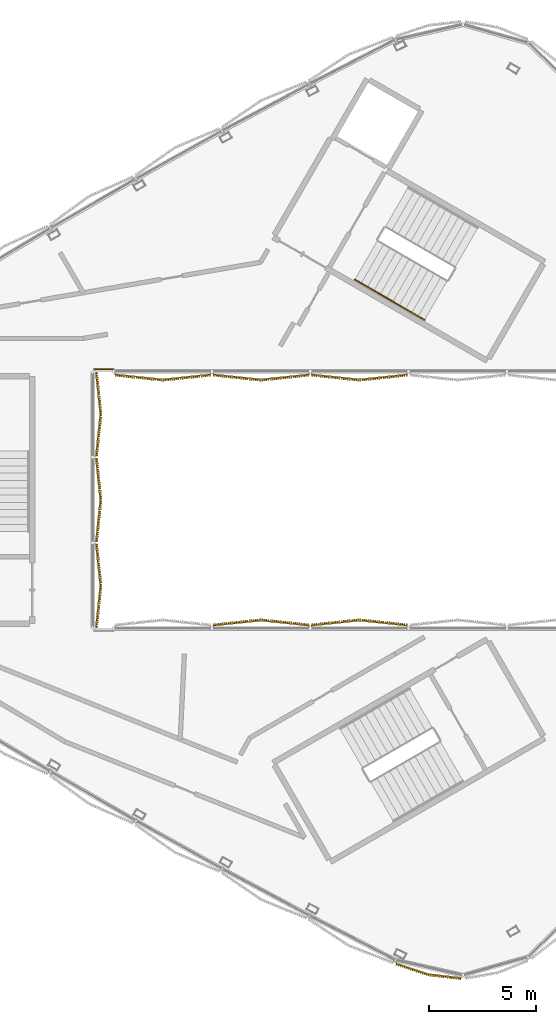
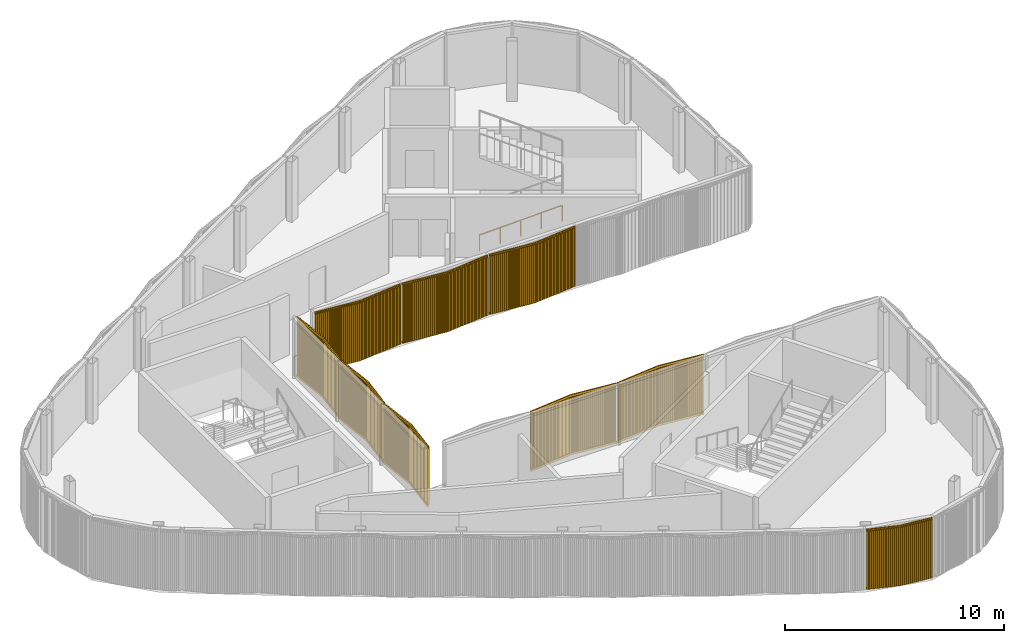
# One storey, part 11 of 16: 9 coverings, 2 railings.
"""IFC4 building model written with IfcOpenShell, lengths in metres."""

from ifc_helpers import new_model, si_unit, direction, frame, frame_2d, origin, origin_2d, place, context, subcontext, project, spatial, rectangle, circle, extrude, source, transform, mapped, material, type_object, element, save


model = new_model("IFC4")

# Units and contexts
model_context = context("Model", 3, precision=1e-05, world=origin(), true_north=direction((0.0, 1.0)))
body_context = subcontext(model_context, "Body", "Model", "MODEL_VIEW")
ifc_project = project(units=[si_unit("LENGTHUNIT", "METRE"), si_unit("AREAUNIT", "SQUARE_METRE"), si_unit("VOLUMEUNIT", "CUBIC_METRE"), si_unit("PLANEANGLEUNIT", "RADIAN"), si_unit("MASSUNIT", "GRAM", prefix="KILO")], contexts=[model_context])

# Site, building, storey
site_placement = place(None, origin())
site = spatial("IfcSite", under=ifc_project, at=site_placement, CompositionType="ELEMENT")
building_placement = place(site_placement, origin())
building = spatial("IfcBuilding", under=site, at=building_placement, Name="Tamra Quay Hotel Tower", CompositionType="ELEMENT")
storey_placement = place(building_placement, frame((0.0, 0.0, 324.199951171875)))
storey = spatial("IfcBuildingStorey", under=building, at=storey_placement, Name="Roof crown 2", CompositionType="ELEMENT", Elevation=324.199951171875)

# Railings
ifc_material_1 = material(Name="Stainless steel balustrade", Category="steel")
railing_type_1 = type_object("IfcRailingType", Name="EXTERIOR GUARD 1100", PredefinedType="GUARDRAIL", material=ifc_material_1)
railing_1_placement = place(storey_placement, frame((-7.949951171875, 6.10009765625, 0.0)))
element("IfcRailing", 1, at=railing_1_placement, inside=storey, type_object=railing_type_1, Name="GR1", PredefinedType="GUARDRAIL", context=body_context, shape_type="SweptSolid", body=[
    extrude(circle(Radius=0.02392578125, at=origin_2d()), frame((0.0, 0.0, 1.076171875), z_axis=(1.0, 0.0, 0.0), x_axis=(0.0, 1.0, 0.0)), (0.0, 0.0, 1.0), 0.91259765625),
    extrude(circle(Radius=0.02099609375, at=origin_2d()), origin(), (0.0, 0.0, 1.0), 1.052001953125),
    extrude(circle(Radius=0.02099609375, at=origin_2d()), frame((0.91259765625, 0.0, 0.0)), (0.0, 0.0, 1.0), 1.052001953125),
])
ifc_material_2 = material(Name="Stair handrail 900")
railing_type_2 = type_object("IfcRailingType", Name="Stair handrail 900", PredefinedType="HANDRAIL", material=ifc_material_2)
railing_2_placement = place(storey_placement, frame((4.234375, 10.294189453125, 0.150146484375)))
element("IfcRailing", 2, at=railing_2_placement, inside=storey, type_object=railing_type_2, Name="HR", PredefinedType="HANDRAIL", context=body_context, shape_type="SweptSolid", body=[
    extrude(circle(Radius=0.02392578125, at=origin_2d()), frame((0.0, 0.0, 0.8759765625), z_axis=(0.793122095483, -0.45786531462, 0.401642496911), x_axis=(0.499964013922, 0.86604617936, 0.0)), (0.0, 0.0, 1.0), 4.10791015625),
    extrude(circle(Radius=0.02099609375, at=origin_2d()), origin(), (0.0, 0.0, 1.0), 0.851806640625),
    extrude(circle(Radius=0.02099609375, at=origin_2d()), frame((0.814453125, -0.47021484375, 0.41259765625)), (0.0, 0.0, 1.0), 0.851806640625),
    extrude(circle(Radius=0.02099609375, at=origin_2d()), frame((1.62890625, -0.9404296875, 0.824951171875)), (0.0, 0.0, 1.0), 0.851806640625),
    extrude(circle(Radius=0.02099609375, at=origin_2d()), frame((2.443603515625, -1.41064453125, 1.2373046875)), (0.0, 0.0, 1.0), 0.851806640625),
    extrude(circle(Radius=0.02099609375, at=origin_2d()), frame((3.258056640625, -1.880859375, 1.64990234375)), (0.0, 0.0, 1.0), 0.851806640625),
])

# Coverings
ifc_material_3 = material(Name="Terracotta baguette extruded", Category="masonry")
covering_type = type_object("IfcCoveringType", Name="BAGUETTE SCREEN CROWN H3350", PredefinedType="USERDEFINED", material=ifc_material_3)
shared_shape_1 = source(origin(), body_context, "Body", "SweptSolid", [
    extrude(rectangle(XDim=1.5810546875, YDim=0.06005859375, at=frame_2d((0.79052734375, 0.030029296875))), frame((-1.578857421875, -0.0576171875, -0.1201171875), z_axis=(0.0, 0.0, 1.0), x_axis=(0.994521895368, -0.104528463268, 0.0)), (0.0, 0.0, 1.0), 0.1201171875),
    extrude(rectangle(XDim=1.5810546875, YDim=0.06005859375, at=frame_2d((0.79052734375, 0.030029296875))), frame((-1.578857421875, -0.0576171875, -3.35009765625), z_axis=(0.0, 0.0, 1.0), x_axis=(0.994521895368, -0.104528463268, 0.0)), (0.0, 0.0, 1.0), 0.1201171875),
    extrude(rectangle(XDim=0.070068359375, YDim=0.10009765625, at=frame_2d((0.03515625, 0.050048828125))), frame((-1.558349609375, -0.133056640625, -3.2900390625)), (0.0, 0.0, 1.0), 3.22998046875),
    extrude(rectangle(XDim=0.070068359375, YDim=0.10009765625, at=frame_2d((0.03515625, 0.050048828125))), frame((-1.4599609375, -0.1435546875, -3.2900390625)), (0.0, 0.0, 1.0), 3.22998046875),
    extrude(rectangle(XDim=0.070068359375, YDim=0.10009765625, at=frame_2d((0.03515625, 0.050048828125))), frame((-1.36181640625, -0.15380859375, -3.2900390625)), (0.0, 0.0, 1.0), 3.22998046875),
    extrude(rectangle(XDim=0.070068359375, YDim=0.10009765625, at=frame_2d((0.03515625, 0.050048828125))), frame((-1.263427734375, -0.1640625, -3.2900390625)), (0.0, 0.0, 1.0), 3.22998046875),
    extrude(rectangle(XDim=0.070068359375, YDim=0.10009765625, at=frame_2d((0.03515625, 0.050048828125))), frame((-1.165283203125, -0.174560546875, -3.2900390625)), (0.0, 0.0, 1.0), 3.22998046875),
    extrude(rectangle(XDim=0.070068359375, YDim=0.10009765625, at=frame_2d((0.03515625, 0.050048828125))), frame((-1.06689453125, -0.184814453125, -3.2900390625)), (0.0, 0.0, 1.0), 3.22998046875),
    extrude(rectangle(XDim=0.070068359375, YDim=0.10009765625, at=frame_2d((0.03515625, 0.050048828125))), frame((-0.96875, -0.195068359375, -3.2900390625)), (0.0, 0.0, 1.0), 3.22998046875),
    extrude(rectangle(XDim=0.070068359375, YDim=0.10009765625, at=frame_2d((0.03515625, 0.050048828125))), frame((-0.870361328125, -0.20556640625, -3.2900390625)), (0.0, 0.0, 1.0), 3.22998046875),
    extrude(rectangle(XDim=0.070068359375, YDim=0.10009765625, at=frame_2d((0.03515625, 0.050048828125))), frame((-0.772216796875, -0.2158203125, -3.2900390625)), (0.0, 0.0, 1.0), 3.22998046875),
    extrude(rectangle(XDim=0.070068359375, YDim=0.10009765625, at=frame_2d((0.03515625, 0.050048828125))), frame((-0.673828125, -0.22607421875, -3.2900390625)), (0.0, 0.0, 1.0), 3.22998046875),
    extrude(rectangle(XDim=0.070068359375, YDim=0.10009765625, at=frame_2d((0.03515625, 0.050048828125))), frame((-0.575439453125, -0.236572265625, -3.2900390625)), (0.0, 0.0, 1.0), 3.22998046875),
    extrude(rectangle(XDim=0.070068359375, YDim=0.10009765625, at=frame_2d((0.03515625, 0.050048828125))), frame((-0.477294921875, -0.246826171875, -3.2900390625)), (0.0, 0.0, 1.0), 3.22998046875),
    extrude(rectangle(XDim=0.070068359375, YDim=0.10009765625, at=frame_2d((0.03515625, 0.050048828125))), frame((-0.37890625, -0.257080078125, -3.2900390625)), (0.0, 0.0, 1.0), 3.22998046875),
    extrude(rectangle(XDim=0.070068359375, YDim=0.10009765625, at=frame_2d((0.03515625, 0.050048828125))), frame((-0.28076171875, -0.267333984375, -3.2900390625)), (0.0, 0.0, 1.0), 3.22998046875),
    extrude(rectangle(XDim=0.070068359375, YDim=0.10009765625, at=frame_2d((0.03515625, 0.050048828125))), frame((-0.182373046875, -0.27783203125, -3.2900390625)), (0.0, 0.0, 1.0), 3.22998046875),
    extrude(rectangle(XDim=0.070068359375, YDim=0.10009765625, at=frame_2d((0.03515625, 0.050048828125))), frame((-0.084228515625, -0.2880859375, -3.2900390625)), (0.0, 0.0, 1.0), 3.22998046875),
    extrude(rectangle(XDim=1.5810546875, YDim=0.06005859375, at=frame_2d((0.79052734375, 0.030029296875))), frame((0.00634765625, -0.222900390625, -0.1201171875), z_axis=(0.0, 0.0, 1.0), x_axis=(0.994521895368, 0.104528463268, 0.0)), (0.0, 0.0, 1.0), 0.1201171875),
    extrude(rectangle(XDim=1.5810546875, YDim=0.06005859375, at=frame_2d((0.79052734375, 0.030029296875))), frame((0.00634765625, -0.222900390625, -3.35009765625), z_axis=(0.0, 0.0, 1.0), x_axis=(0.994521895368, 0.104528463268, 0.0)), (0.0, 0.0, 1.0), 0.1201171875),
    extrude(rectangle(XDim=0.070068359375, YDim=0.10009765625, at=frame_2d((0.03515625, 0.050048828125))), frame((0.01416015625, -0.2880859375, -3.2900390625)), (0.0, 0.0, 1.0), 3.22998046875),
    extrude(rectangle(XDim=0.070068359375, YDim=0.10009765625, at=frame_2d((0.03515625, 0.050048828125))), frame((0.1123046875, -0.27783203125, -3.2900390625)), (0.0, 0.0, 1.0), 3.22998046875),
    extrude(rectangle(XDim=0.070068359375, YDim=0.10009765625, at=frame_2d((0.03515625, 0.050048828125))), frame((0.210693359375, -0.267333984375, -3.2900390625)), (0.0, 0.0, 1.0), 3.22998046875),
    extrude(rectangle(XDim=0.070068359375, YDim=0.10009765625, at=frame_2d((0.03515625, 0.050048828125))), frame((0.30908203125, -0.257080078125, -3.2900390625)), (0.0, 0.0, 1.0), 3.22998046875),
    extrude(rectangle(XDim=0.070068359375, YDim=0.10009765625, at=frame_2d((0.03515625, 0.050048828125))), frame((0.4072265625, -0.246826171875, -3.2900390625)), (0.0, 0.0, 1.0), 3.22998046875),
    extrude(rectangle(XDim=0.070068359375, YDim=0.10009765625, at=frame_2d((0.03515625, 0.050048828125))), frame((0.505615234375, -0.236572265625, -3.2900390625)), (0.0, 0.0, 1.0), 3.22998046875),
    extrude(rectangle(XDim=0.070068359375, YDim=0.10009765625, at=frame_2d((0.03515625, 0.050048828125))), frame((0.603759765625, -0.22607421875, -3.2900390625)), (0.0, 0.0, 1.0), 3.22998046875),
    extrude(rectangle(XDim=0.070068359375, YDim=0.10009765625, at=frame_2d((0.03515625, 0.050048828125))), frame((0.7021484375, -0.2158203125, -3.2900390625)), (0.0, 0.0, 1.0), 3.22998046875),
    extrude(rectangle(XDim=0.070068359375, YDim=0.10009765625, at=frame_2d((0.03515625, 0.050048828125))), frame((0.80029296875, -0.20556640625, -3.2900390625)), (0.0, 0.0, 1.0), 3.22998046875),
    extrude(rectangle(XDim=0.070068359375, YDim=0.10009765625, at=frame_2d((0.03515625, 0.050048828125))), frame((0.898681640625, -0.195068359375, -3.2900390625)), (0.0, 0.0, 1.0), 3.22998046875),
    extrude(rectangle(XDim=0.070068359375, YDim=0.10009765625, at=frame_2d((0.03515625, 0.050048828125))), frame((0.9970703125, -0.184814453125, -3.2900390625)), (0.0, 0.0, 1.0), 3.22998046875),
    extrude(rectangle(XDim=0.070068359375, YDim=0.10009765625, at=frame_2d((0.03515625, 0.050048828125))), frame((1.09521484375, -0.174560546875, -3.2900390625)), (0.0, 0.0, 1.0), 3.22998046875),
    extrude(rectangle(XDim=0.070068359375, YDim=0.10009765625, at=frame_2d((0.03515625, 0.050048828125))), frame((1.193603515625, -0.1640625, -3.2900390625)), (0.0, 0.0, 1.0), 3.22998046875),
    extrude(rectangle(XDim=0.070068359375, YDim=0.10009765625, at=frame_2d((0.03515625, 0.050048828125))), frame((1.291748046875, -0.15380859375, -3.2900390625)), (0.0, 0.0, 1.0), 3.22998046875),
    extrude(rectangle(XDim=0.070068359375, YDim=0.10009765625, at=frame_2d((0.03515625, 0.050048828125))), frame((1.39013671875, -0.1435546875, -3.2900390625)), (0.0, 0.0, 1.0), 3.22998046875),
    extrude(rectangle(XDim=0.070068359375, YDim=0.10009765625, at=frame_2d((0.03515625, 0.050048828125))), frame((1.48828125, -0.133056640625, -3.2900390625)), (0.0, 0.0, 1.0), 3.22998046875),
])
covering_placement = place(storey_placement, frame((7.689697265625, -21.952392578125, 3.35009765625), z_axis=(0.0, 0.0, 1.0), x_axis=(0.975768325721, -0.218806248814, 0.0)))
element("IfcCovering", 3, at=covering_placement, inside=storey, type_object=covering_type, Name="Baguette screen Roof crown 2.B.f15", ObjectType="BAGUETTE SCREEN", PredefinedType="USERDEFINED", context=body_context, shape_type="MappedRepresentation", body=[
    mapped(shared_shape_1, transform((0.0, 0.0, 0.0), scale=1.0)),
])
shared_shape_2 = source(origin(), body_context, "Body", "SweptSolid", [
    extrude(rectangle(XDim=2.264892578125, YDim=0.06005859375, at=frame_2d((1.13232421875, 0.030029296875))), frame((-2.2587890625, -0.0576171875, -0.1201171875), z_axis=(0.0, 0.0, 1.0), x_axis=(0.994521895368, -0.104528463268, 0.0)), (0.0, 0.0, 1.0), 0.1201171875),
    extrude(rectangle(XDim=2.264892578125, YDim=0.06005859375, at=frame_2d((1.13232421875, 0.030029296875))), frame((-2.2587890625, -0.0576171875, -3.35009765625), z_axis=(0.0, 0.0, 1.0), x_axis=(0.994521895368, -0.104528463268, 0.0)), (0.0, 0.0, 1.0), 0.1201171875),
    extrude(rectangle(XDim=0.070068359375, YDim=0.10009765625, at=frame_2d((0.03515625, 0.050048828125))), frame((-2.238525390625, -0.133056640625, -3.2900390625)), (0.0, 0.0, 1.0), 3.22998046875),
    extrude(rectangle(XDim=0.070068359375, YDim=0.10009765625, at=frame_2d((0.03515625, 0.050048828125))), frame((-2.140625, -0.1435546875, -3.2900390625)), (0.0, 0.0, 1.0), 3.22998046875),
    extrude(rectangle(XDim=0.070068359375, YDim=0.10009765625, at=frame_2d((0.03515625, 0.050048828125))), frame((-2.042724609375, -0.15380859375, -3.2900390625)), (0.0, 0.0, 1.0), 3.22998046875),
    extrude(rectangle(XDim=0.070068359375, YDim=0.10009765625, at=frame_2d((0.03515625, 0.050048828125))), frame((-1.94482421875, -0.1640625, -3.2900390625)), (0.0, 0.0, 1.0), 3.22998046875),
    extrude(rectangle(XDim=0.070068359375, YDim=0.10009765625, at=frame_2d((0.03515625, 0.050048828125))), frame((-1.8466796875, -0.17431640625, -3.2900390625)), (0.0, 0.0, 1.0), 3.22998046875),
    extrude(rectangle(XDim=0.070068359375, YDim=0.10009765625, at=frame_2d((0.03515625, 0.050048828125))), frame((-1.748779296875, -0.1845703125, -3.2900390625)), (0.0, 0.0, 1.0), 3.22998046875),
    extrude(rectangle(XDim=0.070068359375, YDim=0.10009765625, at=frame_2d((0.03515625, 0.050048828125))), frame((-1.65087890625, -0.19482421875, -3.2900390625)), (0.0, 0.0, 1.0), 3.22998046875),
    extrude(rectangle(XDim=0.070068359375, YDim=0.10009765625, at=frame_2d((0.03515625, 0.050048828125))), frame((-1.552978515625, -0.205078125, -3.2900390625)), (0.0, 0.0, 1.0), 3.22998046875),
    extrude(rectangle(XDim=0.070068359375, YDim=0.10009765625, at=frame_2d((0.03515625, 0.050048828125))), frame((-1.455078125, -0.215576171875, -3.2900390625)), (0.0, 0.0, 1.0), 3.22998046875),
    extrude(rectangle(XDim=0.070068359375, YDim=0.10009765625, at=frame_2d((0.03515625, 0.050048828125))), frame((-1.357177734375, -0.225830078125, -3.2900390625)), (0.0, 0.0, 1.0), 3.22998046875),
    extrude(rectangle(XDim=0.070068359375, YDim=0.10009765625, at=frame_2d((0.03515625, 0.050048828125))), frame((-1.25927734375, -0.236083984375, -3.2900390625)), (0.0, 0.0, 1.0), 3.22998046875),
    extrude(rectangle(XDim=0.070068359375, YDim=0.10009765625, at=frame_2d((0.03515625, 0.050048828125))), frame((-1.1611328125, -0.246337890625, -3.2900390625)), (0.0, 0.0, 1.0), 3.22998046875),
    extrude(rectangle(XDim=0.070068359375, YDim=0.10009765625, at=frame_2d((0.03515625, 0.050048828125))), frame((-1.063232421875, -0.256591796875, -3.2900390625)), (0.0, 0.0, 1.0), 3.22998046875),
    extrude(rectangle(XDim=0.070068359375, YDim=0.10009765625, at=frame_2d((0.03515625, 0.050048828125))), frame((-0.96533203125, -0.266845703125, -3.2900390625)), (0.0, 0.0, 1.0), 3.22998046875),
    extrude(rectangle(XDim=0.070068359375, YDim=0.10009765625, at=frame_2d((0.03515625, 0.050048828125))), frame((-0.867431640625, -0.27734375, -3.2900390625)), (0.0, 0.0, 1.0), 3.22998046875),
    extrude(rectangle(XDim=0.070068359375, YDim=0.10009765625, at=frame_2d((0.03515625, 0.050048828125))), frame((-0.76953125, -0.28759765625, -3.2900390625)), (0.0, 0.0, 1.0), 3.22998046875),
    extrude(rectangle(XDim=0.070068359375, YDim=0.10009765625, at=frame_2d((0.03515625, 0.050048828125))), frame((-0.671630859375, -0.2978515625, -3.2900390625)), (0.0, 0.0, 1.0), 3.22998046875),
    extrude(rectangle(XDim=0.070068359375, YDim=0.10009765625, at=frame_2d((0.03515625, 0.050048828125))), frame((-0.57373046875, -0.30810546875, -3.2900390625)), (0.0, 0.0, 1.0), 3.22998046875),
    extrude(rectangle(XDim=0.070068359375, YDim=0.10009765625, at=frame_2d((0.03515625, 0.050048828125))), frame((-0.475830078125, -0.318359375, -3.2900390625)), (0.0, 0.0, 1.0), 3.22998046875),
    extrude(rectangle(XDim=0.070068359375, YDim=0.10009765625, at=frame_2d((0.03515625, 0.050048828125))), frame((-0.377685546875, -0.32861328125, -3.2900390625)), (0.0, 0.0, 1.0), 3.22998046875),
    extrude(rectangle(XDim=0.070068359375, YDim=0.10009765625, at=frame_2d((0.03515625, 0.050048828125))), frame((-0.27978515625, -0.339111328125, -3.2900390625)), (0.0, 0.0, 1.0), 3.22998046875),
    extrude(rectangle(XDim=0.070068359375, YDim=0.10009765625, at=frame_2d((0.03515625, 0.050048828125))), frame((-0.181884765625, -0.349365234375, -3.2900390625)), (0.0, 0.0, 1.0), 3.22998046875),
    extrude(rectangle(XDim=0.070068359375, YDim=0.10009765625, at=frame_2d((0.03515625, 0.050048828125))), frame((-0.083984375, -0.359619140625, -3.2900390625)), (0.0, 0.0, 1.0), 3.22998046875),
    extrude(rectangle(XDim=2.264892578125, YDim=0.06005859375, at=frame_2d((1.13232421875, 0.030029296875))), frame((0.00634765625, -0.29443359375, -0.1201171875), z_axis=(0.0, 0.0, 1.0), x_axis=(0.994521895368, 0.104528463268, 0.0)), (0.0, 0.0, 1.0), 0.1201171875),
    extrude(rectangle(XDim=2.264892578125, YDim=0.06005859375, at=frame_2d((1.13232421875, 0.030029296875))), frame((0.00634765625, -0.29443359375, -3.35009765625), z_axis=(0.0, 0.0, 1.0), x_axis=(0.994521895368, 0.104528463268, 0.0)), (0.0, 0.0, 1.0), 0.1201171875),
    extrude(rectangle(XDim=0.070068359375, YDim=0.10009765625, at=frame_2d((0.03515625, 0.050048828125))), frame((0.013916015625, -0.359619140625, -3.2900390625)), (0.0, 0.0, 1.0), 3.22998046875),
    extrude(rectangle(XDim=0.070068359375, YDim=0.10009765625, at=frame_2d((0.03515625, 0.050048828125))), frame((0.11181640625, -0.349365234375, -3.2900390625)), (0.0, 0.0, 1.0), 3.22998046875),
    extrude(rectangle(XDim=0.070068359375, YDim=0.10009765625, at=frame_2d((0.03515625, 0.050048828125))), frame((0.2099609375, -0.339111328125, -3.2900390625)), (0.0, 0.0, 1.0), 3.22998046875),
    extrude(rectangle(XDim=0.070068359375, YDim=0.10009765625, at=frame_2d((0.03515625, 0.050048828125))), frame((0.307861328125, -0.32861328125, -3.2900390625)), (0.0, 0.0, 1.0), 3.22998046875),
    extrude(rectangle(XDim=0.070068359375, YDim=0.10009765625, at=frame_2d((0.03515625, 0.050048828125))), frame((0.40576171875, -0.318359375, -3.2900390625)), (0.0, 0.0, 1.0), 3.22998046875),
    extrude(rectangle(XDim=0.070068359375, YDim=0.10009765625, at=frame_2d((0.03515625, 0.050048828125))), frame((0.503662109375, -0.30810546875, -3.2900390625)), (0.0, 0.0, 1.0), 3.22998046875),
    extrude(rectangle(XDim=0.070068359375, YDim=0.10009765625, at=frame_2d((0.03515625, 0.050048828125))), frame((0.6015625, -0.2978515625, -3.2900390625)), (0.0, 0.0, 1.0), 3.22998046875),
    extrude(rectangle(XDim=0.070068359375, YDim=0.10009765625, at=frame_2d((0.03515625, 0.050048828125))), frame((0.699462890625, -0.28759765625, -3.2900390625)), (0.0, 0.0, 1.0), 3.22998046875),
    extrude(rectangle(XDim=0.070068359375, YDim=0.10009765625, at=frame_2d((0.03515625, 0.050048828125))), frame((0.79736328125, -0.27734375, -3.2900390625)), (0.0, 0.0, 1.0), 3.22998046875),
    extrude(rectangle(XDim=0.070068359375, YDim=0.10009765625, at=frame_2d((0.03515625, 0.050048828125))), frame((0.895263671875, -0.266845703125, -3.2900390625)), (0.0, 0.0, 1.0), 3.22998046875),
    extrude(rectangle(XDim=0.070068359375, YDim=0.10009765625, at=frame_2d((0.03515625, 0.050048828125))), frame((0.993408203125, -0.256591796875, -3.2900390625)), (0.0, 0.0, 1.0), 3.22998046875),
    extrude(rectangle(XDim=0.070068359375, YDim=0.10009765625, at=frame_2d((0.03515625, 0.050048828125))), frame((1.09130859375, -0.246337890625, -3.2900390625)), (0.0, 0.0, 1.0), 3.22998046875),
    extrude(rectangle(XDim=0.070068359375, YDim=0.10009765625, at=frame_2d((0.03515625, 0.050048828125))), frame((1.189208984375, -0.236083984375, -3.2900390625)), (0.0, 0.0, 1.0), 3.22998046875),
    extrude(rectangle(XDim=0.070068359375, YDim=0.10009765625, at=frame_2d((0.03515625, 0.050048828125))), frame((1.287109375, -0.225830078125, -3.2900390625)), (0.0, 0.0, 1.0), 3.22998046875),
    extrude(rectangle(XDim=0.070068359375, YDim=0.10009765625, at=frame_2d((0.03515625, 0.050048828125))), frame((1.385009765625, -0.215576171875, -3.2900390625)), (0.0, 0.0, 1.0), 3.22998046875),
    extrude(rectangle(XDim=0.070068359375, YDim=0.10009765625, at=frame_2d((0.03515625, 0.050048828125))), frame((1.48291015625, -0.205078125, -3.2900390625)), (0.0, 0.0, 1.0), 3.22998046875),
    extrude(rectangle(XDim=0.070068359375, YDim=0.10009765625, at=frame_2d((0.03515625, 0.050048828125))), frame((1.580810546875, -0.19482421875, -3.2900390625)), (0.0, 0.0, 1.0), 3.22998046875),
    extrude(rectangle(XDim=0.070068359375, YDim=0.10009765625, at=frame_2d((0.03515625, 0.050048828125))), frame((1.678955078125, -0.1845703125, -3.2900390625)), (0.0, 0.0, 1.0), 3.22998046875),
    extrude(rectangle(XDim=0.070068359375, YDim=0.10009765625, at=frame_2d((0.03515625, 0.050048828125))), frame((1.77685546875, -0.17431640625, -3.2900390625)), (0.0, 0.0, 1.0), 3.22998046875),
    extrude(rectangle(XDim=0.070068359375, YDim=0.10009765625, at=frame_2d((0.03515625, 0.050048828125))), frame((1.874755859375, -0.1640625, -3.2900390625)), (0.0, 0.0, 1.0), 3.22998046875),
    extrude(rectangle(XDim=0.070068359375, YDim=0.10009765625, at=frame_2d((0.03515625, 0.050048828125))), frame((1.97265625, -0.15380859375, -3.2900390625)), (0.0, 0.0, 1.0), 3.22998046875),
    extrude(rectangle(XDim=0.070068359375, YDim=0.10009765625, at=frame_2d((0.03515625, 0.050048828125))), frame((2.070556640625, -0.1435546875, -3.2900390625)), (0.0, 0.0, 1.0), 3.22998046875),
    extrude(rectangle(XDim=0.070068359375, YDim=0.10009765625, at=frame_2d((0.03515625, 0.050048828125))), frame((2.16845703125, -0.133056640625, -3.2900390625)), (0.0, 0.0, 1.0), 3.22998046875),
])
for number, where, z_axis, x_axis, name in (
    (4, (-4.740966796875, 5.902099609375, 3.35009765625), (0.0, 0.0, 1.0), (1.0, 0.0, 0.0), "Baguette screen Roof crown 2.A.f15"),
    (5, (-0.148193359375, 5.902099609375, 3.35009765625), (0.0, 0.0, 1.0), (1.0, 0.0, 0.0), "Baguette screen Roof crown 2.A.f16"),
    (6, (4.444580078125, 5.902099609375, 3.35009765625), (0.0, 0.0, 1.0), (1.0, 0.0, 0.0), "Baguette screen Roof crown 2.A.f17"),
    (7, (4.444580078125, -5.902099609375, 3.35009765625), (0.0, 0.0, 1.0), (-1.0, 0.0, 0.0), "Baguette screen Roof crown 2.B.f02"),
    (8, (-0.148193359375, -5.902099609375, 3.35009765625), (0.0, 0.0, 1.0), (-1.0, 0.0, 0.0), "Baguette screen Roof crown 2.B.f03"),
):
    element("IfcCovering", number, at=place(storey_placement, frame(where, z_axis=z_axis, x_axis=x_axis)), inside=storey, type_object=covering_type, Name=name, ObjectType="BAGUETTE SCREEN", PredefinedType="USERDEFINED", context=body_context, shape_type="MappedRepresentation", body=[
        mapped(shared_shape_2, transform((0.0, 0.0, 0.0), scale=1.0)),
    ])
shared_shape_3 = source(origin(), body_context, "Body", "SweptSolid", [
    extrude(rectangle(XDim=1.973388671875, YDim=0.06005859375, at=frame_2d((0.98681640625, 0.030029296875))), frame((-1.96875, -0.0576171875, -0.1201171875), z_axis=(0.0, 0.0, 1.0), x_axis=(0.994521895368, -0.104528463268, 0.0)), (0.0, 0.0, 1.0), 0.1201171875),
    extrude(rectangle(XDim=1.973388671875, YDim=0.06005859375, at=frame_2d((0.98681640625, 0.030029296875))), frame((-1.96875, -0.0576171875, -3.35009765625), z_axis=(0.0, 0.0, 1.0), x_axis=(0.994521895368, -0.104528463268, 0.0)), (0.0, 0.0, 1.0), 0.1201171875),
    extrude(rectangle(XDim=0.070068359375, YDim=0.10009765625, at=frame_2d((0.03515625, 0.050048828125))), frame((-1.948486328125, -0.133056640625, -3.2900390625)), (0.0, 0.0, 1.0), 3.22998046875),
    extrude(rectangle(XDim=0.070068359375, YDim=0.10009765625, at=frame_2d((0.03515625, 0.050048828125))), frame((-1.850341796875, -0.1435546875, -3.2900390625)), (0.0, 0.0, 1.0), 3.22998046875),
    extrude(rectangle(XDim=0.070068359375, YDim=0.10009765625, at=frame_2d((0.03515625, 0.050048828125))), frame((-1.752197265625, -0.15380859375, -3.2900390625)), (0.0, 0.0, 1.0), 3.22998046875),
    extrude(rectangle(XDim=0.070068359375, YDim=0.10009765625, at=frame_2d((0.03515625, 0.050048828125))), frame((-1.654052734375, -0.1640625, -3.2900390625)), (0.0, 0.0, 1.0), 3.22998046875),
    extrude(rectangle(XDim=0.070068359375, YDim=0.10009765625, at=frame_2d((0.03515625, 0.050048828125))), frame((-1.555908203125, -0.17431640625, -3.2900390625)), (0.0, 0.0, 1.0), 3.22998046875),
    extrude(rectangle(XDim=0.070068359375, YDim=0.10009765625, at=frame_2d((0.03515625, 0.050048828125))), frame((-1.457763671875, -0.184814453125, -3.2900390625)), (0.0, 0.0, 1.0), 3.22998046875),
    extrude(rectangle(XDim=0.070068359375, YDim=0.10009765625, at=frame_2d((0.03515625, 0.050048828125))), frame((-1.359619140625, -0.195068359375, -3.2900390625)), (0.0, 0.0, 1.0), 3.22998046875),
    extrude(rectangle(XDim=0.070068359375, YDim=0.10009765625, at=frame_2d((0.03515625, 0.050048828125))), frame((-1.261474609375, -0.205322265625, -3.2900390625)), (0.0, 0.0, 1.0), 3.22998046875),
    extrude(rectangle(XDim=0.070068359375, YDim=0.10009765625, at=frame_2d((0.03515625, 0.050048828125))), frame((-1.163330078125, -0.215576171875, -3.2900390625)), (0.0, 0.0, 1.0), 3.22998046875),
    extrude(rectangle(XDim=0.070068359375, YDim=0.10009765625, at=frame_2d((0.03515625, 0.050048828125))), frame((-1.0654296875, -0.22607421875, -3.2900390625)), (0.0, 0.0, 1.0), 3.22998046875),
    extrude(rectangle(XDim=0.070068359375, YDim=0.10009765625, at=frame_2d((0.03515625, 0.050048828125))), frame((-0.96728515625, -0.236328125, -3.2900390625)), (0.0, 0.0, 1.0), 3.22998046875),
    extrude(rectangle(XDim=0.070068359375, YDim=0.10009765625, at=frame_2d((0.03515625, 0.050048828125))), frame((-0.869140625, -0.24658203125, -3.2900390625)), (0.0, 0.0, 1.0), 3.22998046875),
    extrude(rectangle(XDim=0.070068359375, YDim=0.10009765625, at=frame_2d((0.03515625, 0.050048828125))), frame((-0.77099609375, -0.2568359375, -3.2900390625)), (0.0, 0.0, 1.0), 3.22998046875),
    extrude(rectangle(XDim=0.070068359375, YDim=0.10009765625, at=frame_2d((0.03515625, 0.050048828125))), frame((-0.6728515625, -0.267333984375, -3.2900390625)), (0.0, 0.0, 1.0), 3.22998046875),
    extrude(rectangle(XDim=0.070068359375, YDim=0.10009765625, at=frame_2d((0.03515625, 0.050048828125))), frame((-0.57470703125, -0.277587890625, -3.2900390625)), (0.0, 0.0, 1.0), 3.22998046875),
    extrude(rectangle(XDim=0.070068359375, YDim=0.10009765625, at=frame_2d((0.03515625, 0.050048828125))), frame((-0.4765625, -0.287841796875, -3.2900390625)), (0.0, 0.0, 1.0), 3.22998046875),
    extrude(rectangle(XDim=0.070068359375, YDim=0.10009765625, at=frame_2d((0.03515625, 0.050048828125))), frame((-0.37841796875, -0.298095703125, -3.2900390625)), (0.0, 0.0, 1.0), 3.22998046875),
    extrude(rectangle(XDim=0.070068359375, YDim=0.10009765625, at=frame_2d((0.03515625, 0.050048828125))), frame((-0.2802734375, -0.30859375, -3.2900390625)), (0.0, 0.0, 1.0), 3.22998046875),
    extrude(rectangle(XDim=0.070068359375, YDim=0.10009765625, at=frame_2d((0.03515625, 0.050048828125))), frame((-0.18212890625, -0.31884765625, -3.2900390625)), (0.0, 0.0, 1.0), 3.22998046875),
    extrude(rectangle(XDim=0.070068359375, YDim=0.10009765625, at=frame_2d((0.03515625, 0.050048828125))), frame((-0.083984375, -0.3291015625, -3.2900390625)), (0.0, 0.0, 1.0), 3.22998046875),
    extrude(rectangle(XDim=1.973388671875, YDim=0.06005859375, at=frame_2d((0.98681640625, 0.030029296875))), frame((0.00634765625, -0.263916015625, -0.1201171875), z_axis=(0.0, 0.0, 1.0), x_axis=(0.994521895368, 0.104528463268, 0.0)), (0.0, 0.0, 1.0), 0.1201171875),
    extrude(rectangle(XDim=1.973388671875, YDim=0.06005859375, at=frame_2d((0.98681640625, 0.030029296875))), frame((0.00634765625, -0.263916015625, -3.35009765625), z_axis=(0.0, 0.0, 1.0), x_axis=(0.994521895368, 0.104528463268, 0.0)), (0.0, 0.0, 1.0), 0.1201171875),
    extrude(rectangle(XDim=0.070068359375, YDim=0.10009765625, at=frame_2d((0.03515625, 0.050048828125))), frame((0.01416015625, -0.3291015625, -3.2900390625)), (0.0, 0.0, 1.0), 3.22998046875),
    extrude(rectangle(XDim=0.070068359375, YDim=0.10009765625, at=frame_2d((0.03515625, 0.050048828125))), frame((0.1123046875, -0.31884765625, -3.2900390625)), (0.0, 0.0, 1.0), 3.22998046875),
    extrude(rectangle(XDim=0.070068359375, YDim=0.10009765625, at=frame_2d((0.03515625, 0.050048828125))), frame((0.210205078125, -0.30859375, -3.2900390625)), (0.0, 0.0, 1.0), 3.22998046875),
    extrude(rectangle(XDim=0.070068359375, YDim=0.10009765625, at=frame_2d((0.03515625, 0.050048828125))), frame((0.308349609375, -0.298095703125, -3.2900390625)), (0.0, 0.0, 1.0), 3.22998046875),
    extrude(rectangle(XDim=0.070068359375, YDim=0.10009765625, at=frame_2d((0.03515625, 0.050048828125))), frame((0.406494140625, -0.287841796875, -3.2900390625)), (0.0, 0.0, 1.0), 3.22998046875),
    extrude(rectangle(XDim=0.070068359375, YDim=0.10009765625, at=frame_2d((0.03515625, 0.050048828125))), frame((0.504638671875, -0.277587890625, -3.2900390625)), (0.0, 0.0, 1.0), 3.22998046875),
    extrude(rectangle(XDim=0.070068359375, YDim=0.10009765625, at=frame_2d((0.03515625, 0.050048828125))), frame((0.602783203125, -0.267333984375, -3.2900390625)), (0.0, 0.0, 1.0), 3.22998046875),
    extrude(rectangle(XDim=0.070068359375, YDim=0.10009765625, at=frame_2d((0.03515625, 0.050048828125))), frame((0.700927734375, -0.2568359375, -3.2900390625)), (0.0, 0.0, 1.0), 3.22998046875),
    extrude(rectangle(XDim=0.070068359375, YDim=0.10009765625, at=frame_2d((0.03515625, 0.050048828125))), frame((0.799072265625, -0.24658203125, -3.2900390625)), (0.0, 0.0, 1.0), 3.22998046875),
    extrude(rectangle(XDim=0.070068359375, YDim=0.10009765625, at=frame_2d((0.03515625, 0.050048828125))), frame((0.897216796875, -0.236328125, -3.2900390625)), (0.0, 0.0, 1.0), 3.22998046875),
    extrude(rectangle(XDim=0.070068359375, YDim=0.10009765625, at=frame_2d((0.03515625, 0.050048828125))), frame((0.995361328125, -0.22607421875, -3.2900390625)), (0.0, 0.0, 1.0), 3.22998046875),
    extrude(rectangle(XDim=0.070068359375, YDim=0.10009765625, at=frame_2d((0.03515625, 0.050048828125))), frame((1.093505859375, -0.215576171875, -3.2900390625)), (0.0, 0.0, 1.0), 3.22998046875),
    extrude(rectangle(XDim=0.070068359375, YDim=0.10009765625, at=frame_2d((0.03515625, 0.050048828125))), frame((1.191650390625, -0.205322265625, -3.2900390625)), (0.0, 0.0, 1.0), 3.22998046875),
    extrude(rectangle(XDim=0.070068359375, YDim=0.10009765625, at=frame_2d((0.03515625, 0.050048828125))), frame((1.289794921875, -0.195068359375, -3.2900390625)), (0.0, 0.0, 1.0), 3.22998046875),
    extrude(rectangle(XDim=0.070068359375, YDim=0.10009765625, at=frame_2d((0.03515625, 0.050048828125))), frame((1.3876953125, -0.184814453125, -3.2900390625)), (0.0, 0.0, 1.0), 3.22998046875),
    extrude(rectangle(XDim=0.070068359375, YDim=0.10009765625, at=frame_2d((0.03515625, 0.050048828125))), frame((1.48583984375, -0.17431640625, -3.2900390625)), (0.0, 0.0, 1.0), 3.22998046875),
    extrude(rectangle(XDim=0.070068359375, YDim=0.10009765625, at=frame_2d((0.03515625, 0.050048828125))), frame((1.583984375, -0.1640625, -3.2900390625)), (0.0, 0.0, 1.0), 3.22998046875),
    extrude(rectangle(XDim=0.070068359375, YDim=0.10009765625, at=frame_2d((0.03515625, 0.050048828125))), frame((1.68212890625, -0.15380859375, -3.2900390625)), (0.0, 0.0, 1.0), 3.22998046875),
    extrude(rectangle(XDim=0.070068359375, YDim=0.10009765625, at=frame_2d((0.03515625, 0.050048828125))), frame((1.7802734375, -0.1435546875, -3.2900390625)), (0.0, 0.0, 1.0), 3.22998046875),
    extrude(rectangle(XDim=0.070068359375, YDim=0.10009765625, at=frame_2d((0.03515625, 0.050048828125))), frame((1.87841796875, -0.133056640625, -3.2900390625)), (0.0, 0.0, 1.0), 3.22998046875),
])
for number, where, z_axis, x_axis, name in (
    (9, (-7.902099609375, -4.0, 3.35009765625), (0.0, 0.0, 1.0), (0.0, 1.0, 0.0), "Baguette screen Roof crown 2.C.f04"),
    (10, (-7.902099609375, 0.0, 3.35009765625), (0.0, 0.0, 1.0), (0.0, 1.0, 0.0), "Baguette screen Roof crown 2.C.f05"),
    (11, (-7.902099609375, 4.0, 3.35009765625), (0.0, 0.0, 1.0), (0.0, 1.0, 0.0), "Baguette screen Roof crown 2.C.f06"),
):
    element("IfcCovering", number, at=place(storey_placement, frame(where, z_axis=z_axis, x_axis=x_axis)), inside=storey, type_object=covering_type, Name=name, ObjectType="BAGUETTE SCREEN", PredefinedType="USERDEFINED", context=body_context, shape_type="MappedRepresentation", body=[
        mapped(shared_shape_3, transform((0.0, 0.0, 0.0), scale=1.0)),
    ])

save(model, "model.ifc")
